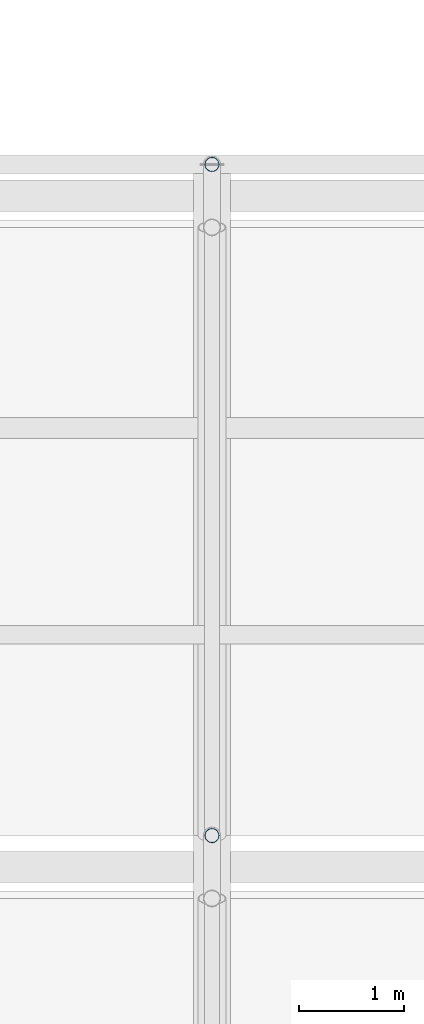
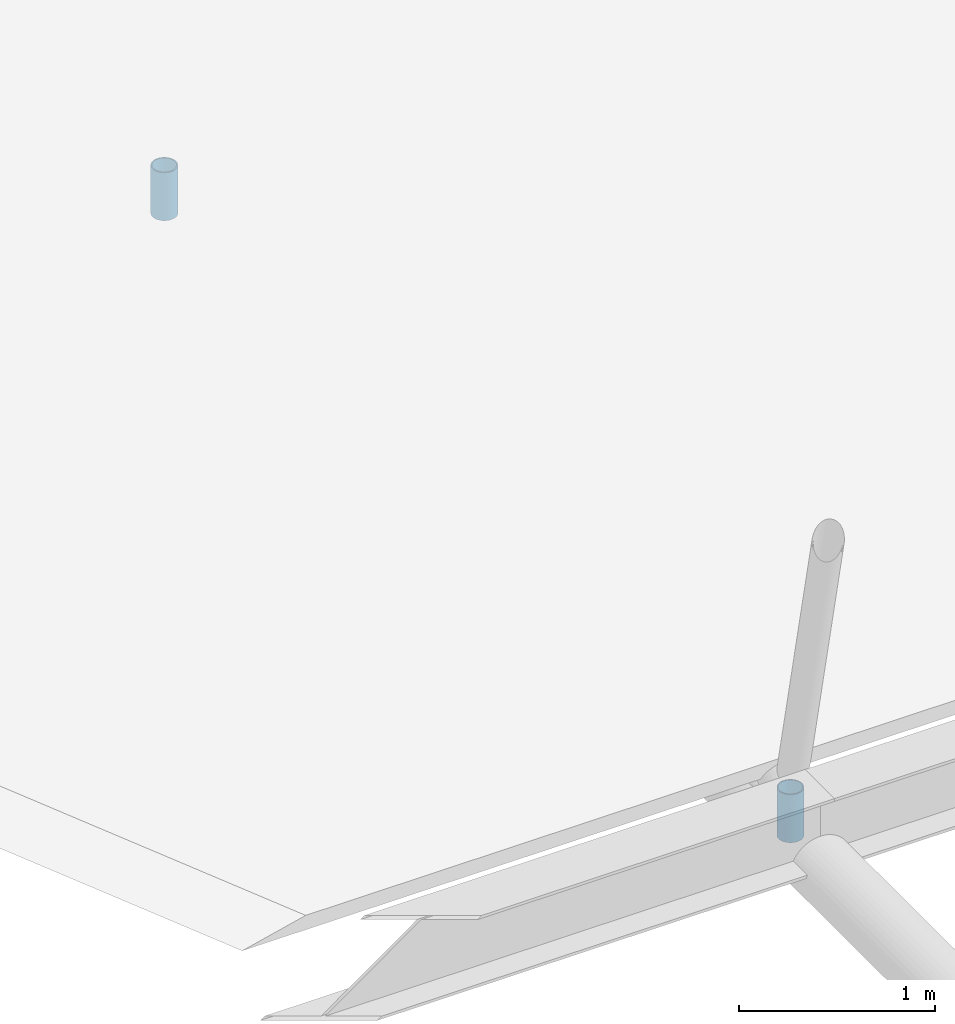
# One storey, part 126 of 194: 2 members.
"""IFC4 building model written with IfcOpenShell, lengths in metres."""

from ifc_helpers import new_model, si_unit, direction, frame, origin, origin_2d, place, context, subcontext, project, spatial, hollow_circle, extrude, material, material_profile, profile_set, type_object, element, save


model = new_model("IFC4")

# Units and contexts
model_context = context("Model", 3, precision=1e-05, world=origin(), true_north=direction((0.0, 1.0)))
body_context = subcontext(model_context, "Body", "Model", "MODEL_VIEW")
ifc_project = project(units=[si_unit("LENGTHUNIT", "METRE"), si_unit("AREAUNIT", "SQUARE_METRE"), si_unit("VOLUMEUNIT", "CUBIC_METRE"), si_unit("PLANEANGLEUNIT", "RADIAN"), si_unit("MASSUNIT", "GRAM", prefix="KILO")], contexts=[model_context])

# Site, building, storey
site_placement = place(None, origin())
site = spatial("IfcSite", under=ifc_project, at=site_placement, CompositionType="ELEMENT")
building_placement = place(site_placement, origin())
building = spatial("IfcBuilding", under=site, at=building_placement, Name="Kazenagashi Tramway Depot", CompositionType="ELEMENT")
storey_placement = place(building_placement, frame((0.0, 0.0, 23.7)))
storey = spatial("IfcBuildingStorey", under=building, at=storey_placement, Name="ROOF", CompositionType="ELEMENT", Elevation=23.7)

# Members
ifc_material = material(Name="Steel STK490", Category="steel")
ifc_material_profile = material_profile(ifc_material, hollow_circle(Radius=0.0699, WallThickness=0.0066, at=origin_2d()), Name="CHS-139.8x6.6")
ifc_profile_set = profile_set([ifc_material_profile], Name="Steel STK490")
member_type = type_object("IfcMemberType", Name="TS-02", PredefinedType="STRUT", material=ifc_profile_set)
for number, where, z_axis, x_axis, name in (
    (1, (95.2, 48.5, -8.9), (0.0, 0.0, 1.0), (1.0, 0.0, 0.0), "Roof Truss TS-02 MEM-1345"),
    (2, (95.2, 54.9, -8.9), (0.0, 0.0, 1.0), (1.0, 0.0, 0.0), "Roof Truss TS-02 MEM-1347"),
):
    element("IfcMember", number, at=place(storey_placement, frame(where, z_axis=z_axis, x_axis=x_axis)), inside=storey, type_object=member_type, Name=name, PredefinedType="STRUT", context=body_context, shape_type="SweptSolid", body=[
        extrude(hollow_circle(Radius=0.0699, WallThickness=0.0066, at=origin_2d()), origin(), (0.0, 0.0, 1.0), 0.3),
    ])

save(model, "model.ifc")
